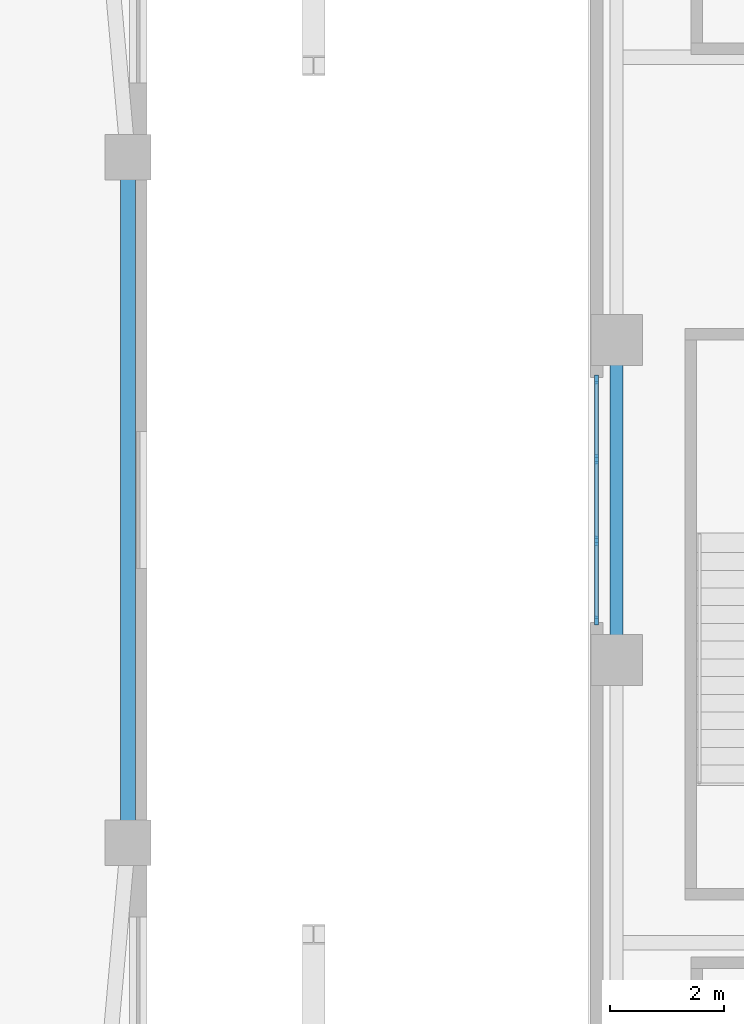
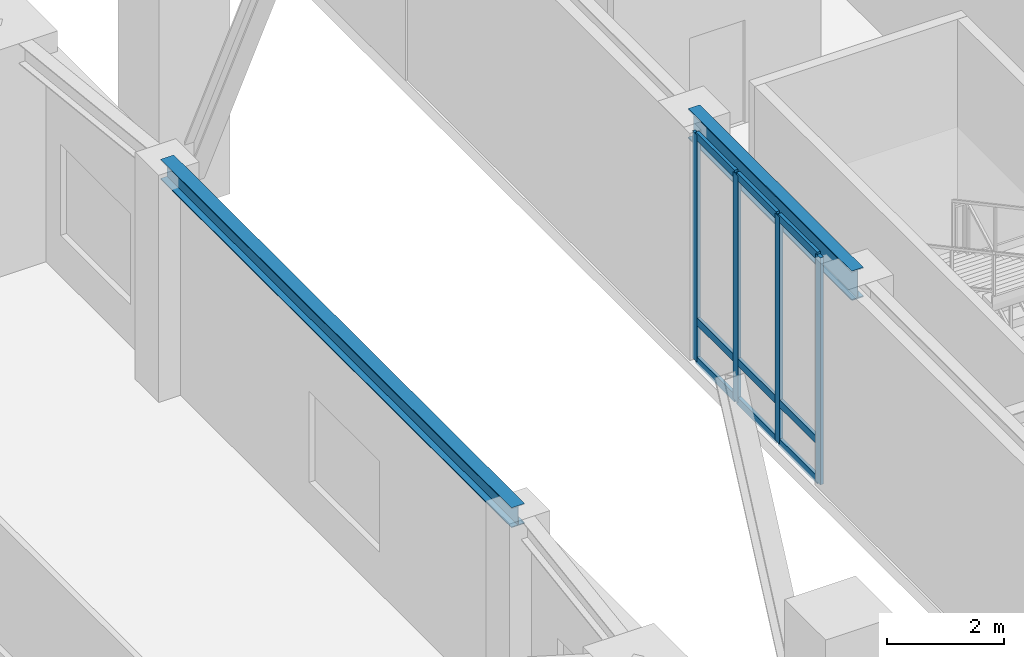
# One storey, part 4 of 21: 13 members, 2 beams, 1 element without a shape of its own.
"""IFC4 building model written with IfcOpenShell, lengths in metres."""

from ifc_helpers import new_model, si_unit, direction, frame, origin, origin_2d, place, context, subcontext, project, spatial, rectangle, i_section, extrude, material, layer, layer_set, material_profile, profile_set, type_object, element, aggregate, save


model = new_model("IFC4")

# Units and contexts
model_context = context("Model", 3, precision=1e-05, world=origin(), true_north=direction((0.0, 1.0)))
body_context = subcontext(model_context, "Body", "Model", "MODEL_VIEW")
ifc_project = project(units=[si_unit("LENGTHUNIT", "METRE"), si_unit("AREAUNIT", "SQUARE_METRE"), si_unit("VOLUMEUNIT", "CUBIC_METRE"), si_unit("PLANEANGLEUNIT", "RADIAN"), si_unit("MASSUNIT", "GRAM", prefix="KILO")], contexts=[model_context])

# Site, building, storey
site_placement = place(None, origin())
site = spatial("IfcSite", under=ifc_project, at=site_placement, CompositionType="ELEMENT")
building_placement = place(site_placement, origin())
building = spatial("IfcBuilding", under=site, at=building_placement, Name="Kolvaren Gate Tower and Convention Centre", CompositionType="ELEMENT")
storey_placement = place(building_placement, frame((0.0, 0.0, 5.0)))
storey = spatial("IfcBuildingStorey", under=building, at=storey_placement, Name="L01", CompositionType="ELEMENT", Elevation=5.0)

# Curtain wall, members
ifc_material_1 = material(Name="Anodized Architectural Aluminium Alloy 6063-T6", Category="aluminium")
ifc_layer = layer(ifc_material_1, 0.179931640625)
ifc_layer_set = layer_set([ifc_layer], Name="Anodized Architectural Aluminium Alloy 6063-T6")
curtain_wall_type = type_object("IfcCurtainWallType", Name="CW-CONV-GLZ", PredefinedType="NOTDEFINED", material=ifc_layer_set)
curtain_wall_placement = place(storey_placement, origin())
curtain_wall = element("IfcCurtainWall", 1, at=curtain_wall_placement, inside=storey, type_object=curtain_wall_type, Name="Convention L01 W Foyer Curtain Wall CW-CC-L01-W", PredefinedType="NOTDEFINED")
ifc_material_profile_1 = material_profile(ifc_material_1, rectangle(XDim=0.06494140625, YDim=0.159912109375, at=origin_2d()), Name="CW-MEM-MUL-160")
ifc_profile_set_1 = profile_set([ifc_material_profile_1], Name="Anodized Architectural Aluminium Alloy 6063-T6")
member_type_1 = type_object("IfcMemberType", Name="CW-MEM-MUL-160", PredefinedType="MULLION", material=ifc_profile_set_1)
member_1_placement = place(storey_placement, frame((62.35009765625, 24.892578125, 0.0), z_axis=(0.0, 0.0, 1.0), x_axis=(-1.0, 0.0, 0.0)))
member_1 = element("IfcMember", 2, at=member_1_placement, type_object=member_type_1, Name="CW-06 mullion 1", PredefinedType="MULLION", context=body_context, shape_type="SweptSolid", body=[
    extrude(rectangle(XDim=0.06494140625, YDim=0.159912109375, at=origin_2d()), origin(), (0.0, 0.0, 1.0), 4.739990234375),
])
member_2_placement = place(storey_placement, frame((62.35009765625, 26.28662109375, 0.0), z_axis=(0.0, 0.0, 1.0), x_axis=(-1.0, 0.0, 0.0)))
member_2 = element("IfcMember", 3, at=member_2_placement, type_object=member_type_1, Name="CW-06 mullion 2", PredefinedType="MULLION", context=body_context, shape_type="SweptSolid", body=[
    extrude(rectangle(XDim=0.06494140625, YDim=0.159912109375, at=origin_2d()), origin(), (0.0, 0.0, 1.0), 4.739990234375),
])
member_3_placement = place(storey_placement, frame((62.35009765625, 27.71337890625, 0.0), z_axis=(0.0, 0.0, 1.0), x_axis=(-1.0, 0.0, 0.0)))
member_3 = element("IfcMember", 4, at=member_3_placement, type_object=member_type_1, Name="CW-06 mullion 3", PredefinedType="MULLION", context=body_context, shape_type="SweptSolid", body=[
    extrude(rectangle(XDim=0.06494140625, YDim=0.159912109375, at=origin_2d()), origin(), (0.0, 0.0, 1.0), 4.739990234375),
])
member_4_placement = place(storey_placement, frame((62.35009765625, 29.107421875, 0.0), z_axis=(0.0, 0.0, 1.0), x_axis=(-1.0, 0.0, 0.0)))
member_4 = element("IfcMember", 5, at=member_4_placement, type_object=member_type_1, Name="CW-06 mullion 4", PredefinedType="MULLION", context=body_context, shape_type="SweptSolid", body=[
    extrude(rectangle(XDim=0.06494140625, YDim=0.159912109375, at=origin_2d()), origin(), (0.0, 0.0, 1.0), 4.739990234375),
])
ifc_material_profile_2 = material_profile(ifc_material_1, rectangle(XDim=0.06494140625, YDim=0.159912109375, at=origin_2d()), Name="CW-MEM-TRN-160")
ifc_profile_set_2 = profile_set([ifc_material_profile_2], Name="Anodized Architectural Aluminium Alloy 6063-T6")
member_type_2 = type_object("IfcMemberType", Name="CW-MEM-TRN-160", PredefinedType="USERDEFINED", material=ifc_profile_set_2)
member_5_placement = place(storey_placement, frame((62.35009765625, 24.925048828125, 0.032470703125), z_axis=(0.0, 1.0, 0.0), x_axis=(-1.0, 0.0, 0.0)))
member_5 = element("IfcMember", 6, at=member_5_placement, type_object=member_type_2, Name="CW-06 transom 1.1", ObjectType="TRANSOM", PredefinedType="USERDEFINED", context=body_context, shape_type="SweptSolid", body=[
    extrude(rectangle(XDim=0.06494140625, YDim=0.159912109375, at=origin_2d()), origin(), (0.0, 0.0, 1.0), 1.3291015625),
])
member_6_placement = place(storey_placement, frame((62.35009765625, 24.925048828125, 0.85009765625), z_axis=(0.0, 1.0, 0.0), x_axis=(-1.0, 0.0, 0.0)))
member_6 = element("IfcMember", 7, at=member_6_placement, type_object=member_type_2, Name="CW-06 transom 1.2", ObjectType="TRANSOM", PredefinedType="USERDEFINED", context=body_context, shape_type="SweptSolid", body=[
    extrude(rectangle(XDim=0.06494140625, YDim=0.159912109375, at=origin_2d()), origin(), (0.0, 0.0, 1.0), 1.3291015625),
])
member_7_placement = place(storey_placement, frame((62.35009765625, 24.925048828125, 4.70751953125), z_axis=(0.0, 1.0, 0.0), x_axis=(-1.0, 0.0, 0.0)))
member_7 = element("IfcMember", 8, at=member_7_placement, type_object=member_type_2, Name="CW-06 transom 1.3", ObjectType="TRANSOM", PredefinedType="USERDEFINED", context=body_context, shape_type="SweptSolid", body=[
    extrude(rectangle(XDim=0.06494140625, YDim=0.159912109375, at=origin_2d()), origin(), (0.0, 0.0, 1.0), 1.3291015625),
])
member_8_placement = place(storey_placement, frame((62.35009765625, 26.319091796875, 0.032470703125), z_axis=(0.0, 1.0, 0.0), x_axis=(-1.0, 0.0, 0.0)))
member_8 = element("IfcMember", 9, at=member_8_placement, type_object=member_type_2, Name="CW-06 transom 2.1", ObjectType="TRANSOM", PredefinedType="USERDEFINED", context=body_context, shape_type="SweptSolid", body=[
    extrude(rectangle(XDim=0.06494140625, YDim=0.159912109375, at=origin_2d()), origin(), (0.0, 0.0, 1.0), 1.36181640625),
])
member_9_placement = place(storey_placement, frame((62.35009765625, 26.319091796875, 0.85009765625), z_axis=(0.0, 1.0, 0.0), x_axis=(-1.0, 0.0, 0.0)))
member_9 = element("IfcMember", 10, at=member_9_placement, type_object=member_type_2, Name="CW-06 transom 2.2", ObjectType="TRANSOM", PredefinedType="USERDEFINED", context=body_context, shape_type="SweptSolid", body=[
    extrude(rectangle(XDim=0.06494140625, YDim=0.159912109375, at=origin_2d()), origin(), (0.0, 0.0, 1.0), 1.36181640625),
])
member_10_placement = place(storey_placement, frame((62.35009765625, 26.319091796875, 4.70751953125), z_axis=(0.0, 1.0, 0.0), x_axis=(-1.0, 0.0, 0.0)))
member_10 = element("IfcMember", 11, at=member_10_placement, type_object=member_type_2, Name="CW-06 transom 2.3", ObjectType="TRANSOM", PredefinedType="USERDEFINED", context=body_context, shape_type="SweptSolid", body=[
    extrude(rectangle(XDim=0.06494140625, YDim=0.159912109375, at=origin_2d()), origin(), (0.0, 0.0, 1.0), 1.36181640625),
])
member_11_placement = place(storey_placement, frame((62.35009765625, 27.745849609375, 0.032470703125), z_axis=(0.0, 1.0, 0.0), x_axis=(-1.0, 0.0, 0.0)))
member_11 = element("IfcMember", 12, at=member_11_placement, type_object=member_type_2, Name="CW-06 transom 3.1", ObjectType="TRANSOM", PredefinedType="USERDEFINED", context=body_context, shape_type="SweptSolid", body=[
    extrude(rectangle(XDim=0.06494140625, YDim=0.159912109375, at=origin_2d()), origin(), (0.0, 0.0, 1.0), 1.3291015625),
])
member_12_placement = place(storey_placement, frame((62.35009765625, 27.745849609375, 0.85009765625), z_axis=(0.0, 1.0, 0.0), x_axis=(-1.0, 0.0, 0.0)))
member_12 = element("IfcMember", 13, at=member_12_placement, type_object=member_type_2, Name="CW-06 transom 3.2", ObjectType="TRANSOM", PredefinedType="USERDEFINED", context=body_context, shape_type="SweptSolid", body=[
    extrude(rectangle(XDim=0.06494140625, YDim=0.159912109375, at=origin_2d()), origin(), (0.0, 0.0, 1.0), 1.3291015625),
])
member_13_placement = place(storey_placement, frame((62.35009765625, 27.745849609375, 4.70751953125), z_axis=(0.0, 1.0, 0.0), x_axis=(-1.0, 0.0, 0.0)))
member_13 = element("IfcMember", 14, at=member_13_placement, type_object=member_type_2, Name="CW-06 transom 3.3", ObjectType="TRANSOM", PredefinedType="USERDEFINED", context=body_context, shape_type="SweptSolid", body=[
    extrude(rectangle(XDim=0.06494140625, YDim=0.159912109375, at=origin_2d()), origin(), (0.0, 0.0, 1.0), 1.3291015625),
])
aggregate(curtain_wall, [member_1, member_2, member_3, member_4, member_5, member_6, member_7, member_8, member_9, member_10, member_11, member_12, member_13])

# Beams
ifc_material_2 = material(Name="Structural steel ASTM A992 Grade 345 MPa", Category="steel")
ifc_material_profile_3 = material_profile(ifc_material_2, i_section(OverallWidth=0.260986328125, OverallDepth=0.419921875, WebThickness=0.01171875, FlangeThickness=0.019287109375, at=origin_2d()), Name="W410X114")
ifc_profile_set_3 = profile_set([ifc_material_profile_3], Name="Structural steel ASTM A992 Grade 345 MPa")
beam_type_1 = type_object("IfcBeamType", Name="STR-BM-W410X114", PredefinedType="BEAM", material=ifc_profile_set_3)
beam_1_placement = place(storey_placement, frame((54.14990234375, 21.0, 4.530029296875), z_axis=(0.0, 1.0, 0.0), x_axis=(-1.0, 0.0, 0.0)))
element("IfcBeam", 15, at=beam_1_placement, inside=storey, type_object=beam_type_1, Name="Tower L01 Recessed Arch Edge Spandrel AE-2", PredefinedType="BEAM", context=body_context, shape_type="SweptSolid", body=[
    extrude(i_section(OverallWidth=0.260986328125, OverallDepth=0.419921875, WebThickness=0.01171875, FlangeThickness=0.019287109375, at=origin_2d()), origin(), (0.0, 0.0, 1.0), 12.0),
])
ifc_material_profile_4 = material_profile(ifc_material_2, i_section(OverallWidth=0.22998046875, OverallDepth=0.616943359375, WebThickness=0.01318359375, FlangeThickness=0.022216796875, at=origin_2d()), Name="W610X140")
ifc_profile_set_4 = profile_set([ifc_material_profile_4], Name="Structural steel ASTM A992 Grade 345 MPa")
beam_type_2 = type_object("IfcBeamType", Name="STR-BM-W610X140", PredefinedType="BEAM", material=ifc_profile_set_4)
beam_2_placement = place(storey_placement, frame((62.699951171875, 24.199951171875, 4.431396484375), z_axis=(0.0, 1.0, 0.0), x_axis=(-1.0, 0.0, 0.0)))
element("IfcBeam", 16, at=beam_2_placement, inside=storey, type_object=beam_type_2, Name="Convention L01 Longitudinal Girder CG-14", PredefinedType="BEAM", context=body_context, shape_type="SweptSolid", body=[
    extrude(i_section(OverallWidth=0.22998046875, OverallDepth=0.616943359375, WebThickness=0.01318359375, FlangeThickness=0.022216796875, at=origin_2d()), origin(), (0.0, 0.0, 1.0), 5.60009765625),
])

save(model, "model.ifc")
